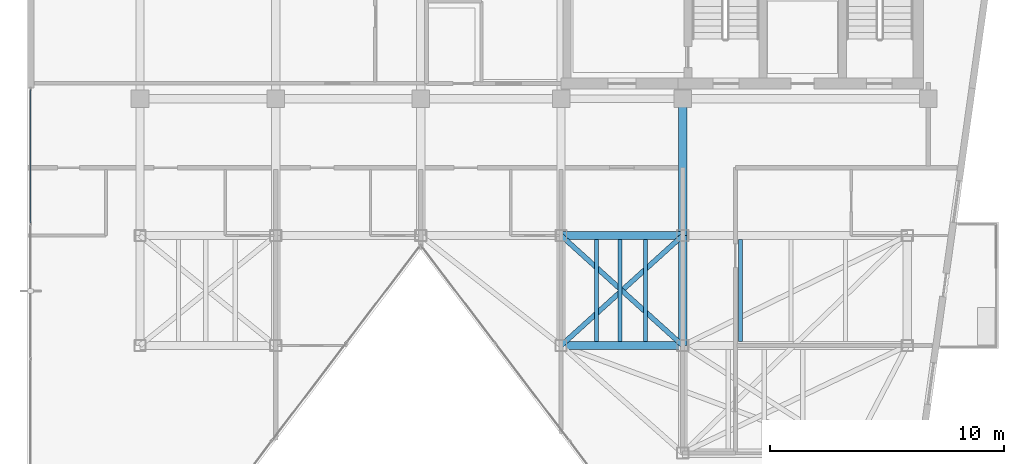
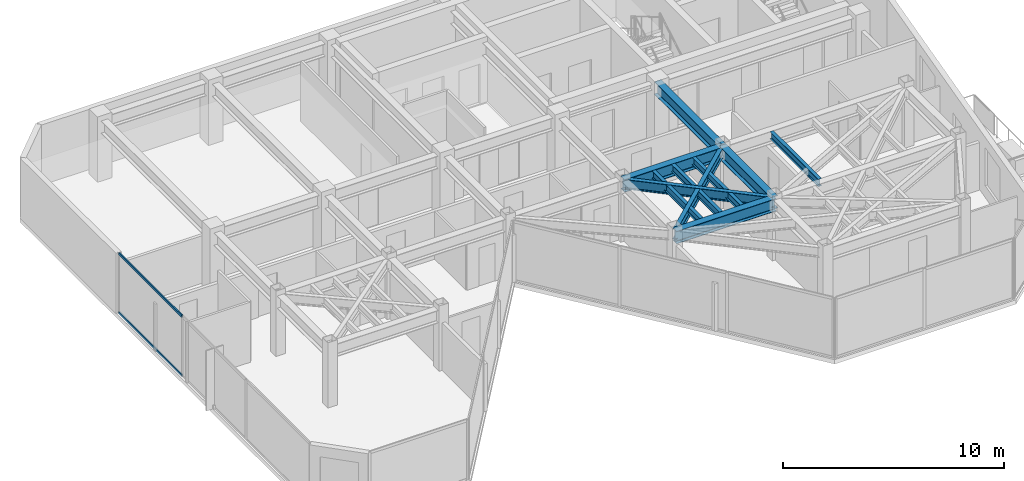
# One storey, part 10 of 19: 10 beams, 2 members, 1 element without a shape of its own.
"""IFC4 building model written with IfcOpenShell, lengths in metres."""

from ifc_helpers import new_model, si_unit, direction, frame, origin, origin_2d, place, context, subcontext, project, spatial, hollow_rectangle, i_section, extrude, material, layer, layer_set, material_profile, profile_set, type_object, element, aggregate, save


model = new_model("IFC4")

# Units and contexts
model_context = context("Model", 3, precision=1e-05, world=origin(), true_north=direction((0.0, 1.0)))
body_context = subcontext(model_context, "Body", "Model", "MODEL_VIEW")
ifc_project = project(units=[si_unit("LENGTHUNIT", "METRE"), si_unit("AREAUNIT", "SQUARE_METRE"), si_unit("VOLUMEUNIT", "CUBIC_METRE"), si_unit("PLANEANGLEUNIT", "RADIAN"), si_unit("MASSUNIT", "GRAM", prefix="KILO")], contexts=[model_context])

# Site, building, storey
site_placement = place(None, origin())
site = spatial("IfcSite", under=ifc_project, at=site_placement, CompositionType="ELEMENT")
building_placement = place(site_placement, origin())
building = spatial("IfcBuilding", under=site, at=building_placement, Name="Kravanh Interchange Tower", CompositionType="ELEMENT")
storey_placement = place(building_placement, frame((0.0, 0.0, 274.199951171875)))
storey = spatial("IfcBuildingStorey", under=building, at=storey_placement, Name="L67", CompositionType="ELEMENT", Elevation=274.199951171875)

# Curtain wall, members
ifc_material_1 = material(Name="Anodised Bronze Aluminium", Category="aluminium")
ifc_layer = layer(ifc_material_1, 0.179931640625)
ifc_layer_set = layer_set([ifc_layer], Name="Unitised Curtain Wall System CW-HTL Luxury Hotel")
curtain_wall_type = type_object("IfcCurtainWallType", Name="Unitised Curtain Wall System CW-HTL Luxury Hotel", PredefinedType="NOTDEFINED", material=ifc_layer_set)
curtain_wall_placement = place(storey_placement, origin())
curtain_wall = element("IfcCurtainWall", 1, at=curtain_wall_placement, inside=storey, type_object=curtain_wall_type, Name="L67 Unitised Curtain Wall CW-L67-01", PredefinedType="NOTDEFINED")
ifc_material_2 = material(Name="Anodised Bronze Aluminium", Category="aluminium")
ifc_material_profile_1 = material_profile(ifc_material_2, hollow_rectangle(XDim=0.06005859375, YDim=0.139892578125, WallThickness=0.00390625, at=origin_2d()), Name="ALU60X140X4")
ifc_profile_set_1 = profile_set([ifc_material_profile_1], Name="Anodised Bronze Aluminium")
member_type = type_object("IfcMemberType", Name="Curtain Wall Transom ALU60X140X4 Bronze", PredefinedType="USERDEFINED", material=ifc_profile_set_1)
member_1_placement = place(storey_placement, frame((28.1201171875, 32.046630859375, 0.030029296875), z_axis=(0.0, 1.0, 0.0), x_axis=(-1.0, 0.0, 0.0)))
member_1 = element("IfcMember", 2, at=member_1_placement, type_object=member_type, Name="CW-HTL transom 3.1", ObjectType="TRANSOM", PredefinedType="USERDEFINED", context=body_context, shape_type="SweptSolid", body=[
    extrude(hollow_rectangle(XDim=0.06005859375, YDim=0.139892578125, WallThickness=0.00390625, at=origin_2d()), origin(), (0.0, 0.0, 1.0), 5.693359375),
])
member_2_placement = place(storey_placement, frame((28.1201171875, 32.046630859375, 3.2900390625), z_axis=(0.0, 1.0, 0.0), x_axis=(-1.0, 0.0, 0.0)))
member_2 = element("IfcMember", 3, at=member_2_placement, type_object=member_type, Name="CW-HTL transom 3.2", ObjectType="TRANSOM", PredefinedType="USERDEFINED", context=body_context, shape_type="SweptSolid", body=[
    extrude(hollow_rectangle(XDim=0.06005859375, YDim=0.139892578125, WallThickness=0.00390625, at=origin_2d()), origin(), (0.0, 0.0, 1.0), 5.693359375),
])
aggregate(curtain_wall, [member_1, member_2])

# Beams
ifc_material_3 = material(Name="Structural Steel S355", Category="steel")
ifc_material_profile_2 = material_profile(ifc_material_3, i_section(OverallWidth=0.35498046875, OverallDepth=0.696044921875, WebThickness=0.015380859375, FlangeThickness=0.02490234375, FilletRadius=0.02392578125, at=origin_2d()), Name="W27X146")
ifc_profile_set_2 = profile_set([ifc_material_profile_2], Name="Structural Steel S355")
beam_type_1 = type_object("IfcBeamType", Name="Floor Beam W27X146 Structural Steel S355", PredefinedType="BEAM", material=ifc_profile_set_2)
beam_1_placement = place(storey_placement, frame((50.800048828125, 31.5, 2.97216796875), z_axis=(1.0, 0.0, 0.0), x_axis=(0.0, 1.0, 0.0)))
element("IfcBeam", 4, at=beam_1_placement, inside=storey, type_object=beam_type_1, Name="L67 Primary Floor Girder 6", PredefinedType="BEAM", context=body_context, shape_type="SweptSolid", body=[
    extrude(i_section(OverallWidth=0.35498046875, OverallDepth=0.696044921875, WebThickness=0.015380859375, FlangeThickness=0.02490234375, FilletRadius=0.02392578125, at=origin_2d()), origin(), (0.0, 0.0, 1.0), 5.199951171875),
])
beam_2_placement = place(storey_placement, frame((56.0, 31.5, 2.97216796875), z_axis=(0.0, -1.0, 0.0), x_axis=(1.0, 0.0, 0.0)))
element("IfcBeam", 5, at=beam_2_placement, inside=storey, type_object=beam_type_1, Name="L67 Primary Floor Girder 9", PredefinedType="BEAM", context=body_context, shape_type="SweptSolid", body=[
    extrude(i_section(OverallWidth=0.35498046875, OverallDepth=0.696044921875, WebThickness=0.015380859375, FlangeThickness=0.02490234375, FilletRadius=0.02392578125, at=origin_2d()), origin(), (0.0, 0.0, 1.0), 4.699951171875),
])
beam_3_placement = place(storey_placement, frame((56.0, 31.5, 2.97216796875), z_axis=(0.0, 1.0, 0.0), x_axis=(-1.0, 0.0, 0.0)))
element("IfcBeam", 6, at=beam_3_placement, inside=storey, type_object=beam_type_1, Name="L67 Primary Floor Girder 10", PredefinedType="BEAM", context=body_context, shape_type="SweptSolid", body=[
    extrude(i_section(OverallWidth=0.35498046875, OverallDepth=0.696044921875, WebThickness=0.015380859375, FlangeThickness=0.02490234375, FilletRadius=0.02392578125, at=origin_2d()), origin(), (0.0, 0.0, 1.0), 5.85009765625),
])
beam_4_placement = place(storey_placement, frame((50.800048828125, 26.800048828125, 2.97216796875), z_axis=(1.0, 0.0, 0.0), x_axis=(0.0, 1.0, 0.0)))
element("IfcBeam", 7, at=beam_4_placement, inside=storey, type_object=beam_type_1, Name="L67 Primary Floor Girder 25", PredefinedType="BEAM", context=body_context, shape_type="SweptSolid", body=[
    extrude(i_section(OverallWidth=0.35498046875, OverallDepth=0.696044921875, WebThickness=0.015380859375, FlangeThickness=0.02490234375, FilletRadius=0.02392578125, at=origin_2d()), origin(), (0.0, 0.0, 1.0), 5.199951171875),
])
ifc_material_4 = material(Name="Structural Steel S355", Category="steel")
ifc_material_profile_3 = material_profile(ifc_material_4, i_section(OverallWidth=0.177978515625, OverallDepth=0.406005859375, WebThickness=0.0078125, FlangeThickness=0.0126953125, FilletRadius=0.01611328125, at=origin_2d()), Name="W16X40")
ifc_profile_set_3 = profile_set([ifc_material_profile_3], Name="Structural Steel S355")
beam_type_2 = type_object("IfcBeamType", Name="Floor Joist W16X40 Structural Steel S355", PredefinedType="JOIST", material=ifc_profile_set_3)
for number, where, z_axis, x_axis, name in (
    (8, (52.30810546875, 26.972412109375, 3.116943359375), (0.0, 1.0, 0.0), (-1.0, 0.0, 0.0), "L67 Secondary Floor Joist 7"),
    (9, (53.322021484375, 26.972412109375, 3.116943359375), (0.0, 1.0, 0.0), (-1.0, 0.0, 0.0), "L67 Secondary Floor Joist 8"),
    (10, (54.4140625, 26.972412109375, 3.116943359375), (0.0, 1.0, 0.0), (-1.0, 0.0, 0.0), "L67 Secondary Floor Joist 9"),
    (11, (58.47607421875, 26.972412109375, 3.116943359375), (0.0, 1.0, 0.0), (-1.0, 0.0, 0.0), "L67 Secondary Floor Joist 10"),
):
    element("IfcBeam", number, at=place(storey_placement, frame(where, z_axis=z_axis, x_axis=x_axis)), inside=storey, type_object=beam_type_2, Name=name, PredefinedType="JOIST", context=body_context, shape_type="SweptSolid", body=[
        extrude(i_section(OverallWidth=0.177978515625, OverallDepth=0.406005859375, WebThickness=0.0078125, FlangeThickness=0.0126953125, FilletRadius=0.01611328125, at=origin_2d()), origin(), (0.0, 0.0, 1.0), 4.35498046875),
    ])
ifc_material_5 = material(Name="Structural Steel S355", Category="steel")
ifc_material_profile_4 = material_profile(ifc_material_5, i_section(OverallWidth=0.2099609375, OverallDepth=0.537109375, WebThickness=0.010986328125, FlangeThickness=0.017333984375, FilletRadius=0.02001953125, at=origin_2d()), Name="W21X68")
ifc_profile_set_4 = profile_set([ifc_material_profile_4], Name="Structural Steel S355")
beam_type_3 = type_object("IfcBeamType", Name="Floor Spandrel W21X68 Structural Steel S355", PredefinedType="SPANDREL", material=ifc_profile_set_4)
for number, where, z_axis, x_axis, name in (
    (12, (50.800048828125, 31.5, 3.051513671875), (0.741874009795, -0.670539300557, 0.0), (0.670539300557, 0.741874009795, 0.0), "L67 Perimeter Spandrel 8"),
    (13, (56.0, 31.5, 3.051513671875), (-0.741874009795, -0.670539300557, 0.0), (0.670539300557, -0.741874009795, 0.0), "L67 Perimeter Spandrel 11"),
):
    element("IfcBeam", number, at=place(storey_placement, frame(where, z_axis=z_axis, x_axis=x_axis)), inside=storey, type_object=beam_type_3, Name=name, PredefinedType="SPANDREL", context=body_context, shape_type="SweptSolid", body=[
        extrude(i_section(OverallWidth=0.2099609375, OverallDepth=0.537109375, WebThickness=0.010986328125, FlangeThickness=0.017333984375, FilletRadius=0.02001953125, at=origin_2d()), origin(), (0.0, 0.0, 1.0), 7.00927734375),
    ])

save(model, "model.ifc")
